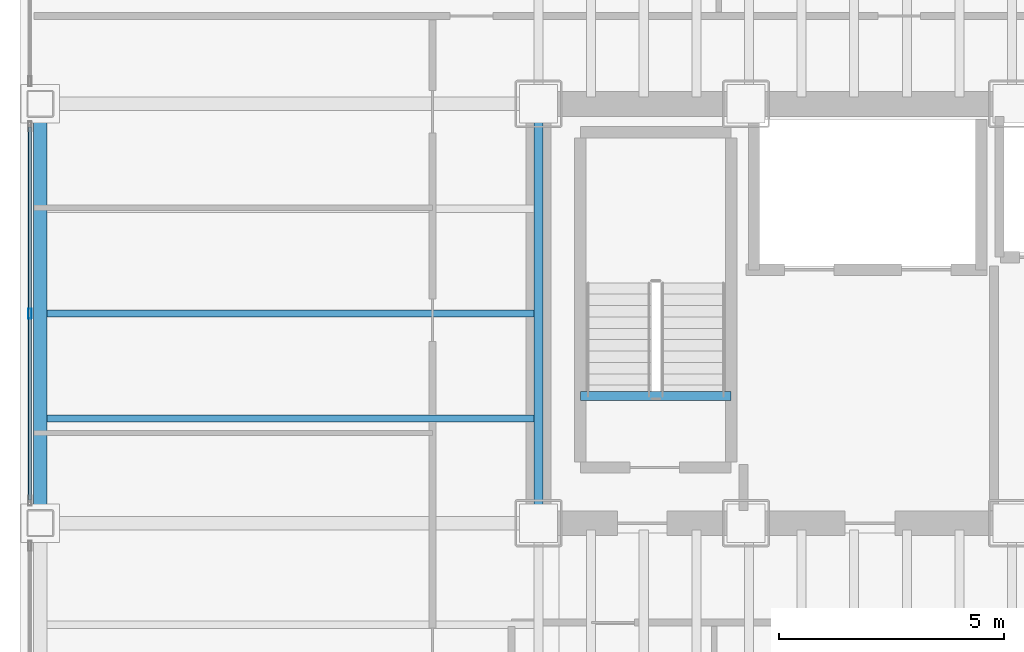
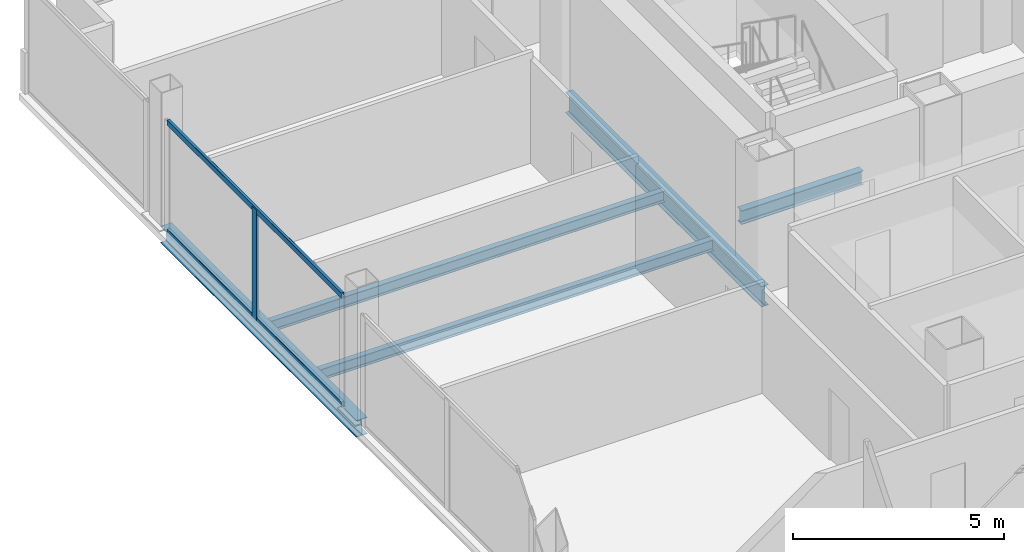
# One storey, part 6 of 30: 5 beams, 3 members, 1 element without a shape of its own.
"""IFC4 building model written with IfcOpenShell, lengths in metres."""

from ifc_helpers import new_model, si_unit, direction, frame, origin, origin_2d, place, context, subcontext, project, spatial, hollow_rectangle, i_section, extrude, material, material_profile, profile_set, type_object, element, aggregate, save


model = new_model("IFC4")

# Units and contexts
model_context = context("Model", 3, precision=1e-05, world=origin(), true_north=direction((0.0, 1.0)))
body_context = subcontext(model_context, "Body", "Model", "MODEL_VIEW")
ifc_project = project(units=[si_unit("LENGTHUNIT", "METRE"), si_unit("AREAUNIT", "SQUARE_METRE"), si_unit("VOLUMEUNIT", "CUBIC_METRE"), si_unit("PLANEANGLEUNIT", "RADIAN"), si_unit("MASSUNIT", "GRAM", prefix="KILO")], contexts=[model_context])

# Site, building, storey
site_placement = place(None, origin())
site = spatial("IfcSite", under=ifc_project, at=site_placement, CompositionType="ELEMENT")
building_placement = place(site_placement, origin())
building = spatial("IfcBuilding", under=site, at=building_placement, Name="Noeulbin Bourse Tower", CompositionType="ELEMENT")
storey_placement = place(building_placement, frame((0.0, 0.0, 26.5)))
storey = spatial("IfcBuildingStorey", under=building, at=storey_placement, Name="L06", CompositionType="ELEMENT", Elevation=26.5)

# Beams
ifc_material_1 = material(Name="Steel S355", Category="steel")
ifc_material_profile_1 = material_profile(ifc_material_1, i_section(OverallWidth=0.199951171875, OverallDepth=0.60009765625, WebThickness=0.010986328125, FlangeThickness=0.01708984375, FilletRadius=0.02197265625, at=origin_2d()), Name="H-600x200x11x17", Category="LoadBearing")
ifc_profile_set_1 = profile_set([ifc_material_profile_1], Name="Steel S355")
beam_type_1 = type_object("IfcBeamType", Name="BM-GRD-600", PredefinedType="USERDEFINED", material=ifc_profile_set_1)
beam_1_placement = place(storey_placement, frame((13.5, 29.0, -0.47998046875), z_axis=(0.0, 1.0, 0.0), x_axis=(-1.0, 0.0, 0.0)))
element("IfcBeam", 1, at=beam_1_placement, inside=storey, type_object=beam_type_1, Name="Tower Primary Girder NS L06-1.3", ObjectType="GIRDER", PredefinedType="USERDEFINED", context=body_context, shape_type="SweptSolid", body=[
    extrude(i_section(OverallWidth=0.199951171875, OverallDepth=0.60009765625, WebThickness=0.010986328125, FlangeThickness=0.01708984375, FilletRadius=0.02197265625, at=origin_2d()), origin(), (0.0, 0.0, 1.0), 9.300048828125),
])
ifc_material_profile_2 = material_profile(ifc_material_1, i_section(OverallWidth=0.159912109375, OverallDepth=0.320068359375, WebThickness=0.006591796875, FlangeThickness=0.010009765625, FilletRadius=0.012939453125, at=origin_2d()), Name="H-320x160x6.5x10", Category="LoadBearing")
ifc_profile_set_2 = profile_set([ifc_material_profile_2], Name="Steel S355")
beam_type_2 = type_object("IfcBeamType", Name="BM-JST-320", PredefinedType="JOIST", material=ifc_profile_set_2)
for number, where, z_axis, x_axis, name in (
    (2, (2.60009765625, 31.324951171875, -0.340087890625), (1.0, 0.0, 0.0), (0.0, 1.0, 0.0), "Wing Composite Joist L06-W72"),
    (3, (2.60009765625, 33.64990234375, -0.340087890625), (1.0, 0.0, 0.0), (0.0, 1.0, 0.0), "Wing Composite Joist L06-W73"),
):
    element("IfcBeam", number, at=place(storey_placement, frame(where, z_axis=z_axis, x_axis=x_axis)), inside=storey, type_object=beam_type_2, Name=name, PredefinedType="JOIST", context=body_context, shape_type="SweptSolid", body=[
        extrude(i_section(OverallWidth=0.159912109375, OverallDepth=0.320068359375, WebThickness=0.006591796875, FlangeThickness=0.010009765625, FilletRadius=0.012939453125, at=origin_2d()), origin(), (0.0, 0.0, 1.0), 10.7998046875),
    ])
ifc_material_profile_3 = material_profile(ifc_material_1, i_section(OverallWidth=0.199951171875, OverallDepth=0.39990234375, WebThickness=0.008056640625, FlangeThickness=0.012939453125, FilletRadius=0.01611328125, at=origin_2d()), Name="H-400x200x8x13", Category="LoadBearing")
ifc_profile_set_3 = profile_set([ifc_material_profile_3], Name="Steel S355")
beam_type_3 = type_object("IfcBeamType", Name="BM-SEC-400", PredefinedType="BEAM", material=ifc_profile_set_3)
beam_2_placement = place(storey_placement, frame((14.429931640625, 31.820068359375, -0.199951171875), z_axis=(1.0, 0.0, 0.0), x_axis=(0.0, 1.0, 0.0)))
element("IfcBeam", 4, at=beam_2_placement, inside=storey, type_object=beam_type_3, Name="Stair Threshold Trimmer Beam ST1-L06", PredefinedType="BEAM", context=body_context, shape_type="SweptSolid", body=[
    extrude(i_section(OverallWidth=0.199951171875, OverallDepth=0.39990234375, WebThickness=0.008056640625, FlangeThickness=0.012939453125, FilletRadius=0.01611328125, at=origin_2d()), origin(), (0.0, 0.0, 1.0), 3.340087890625),
])
ifc_material_profile_4 = material_profile(ifc_material_1, i_section(OverallWidth=0.300048828125, OverallDepth=0.488037109375, WebThickness=0.010986328125, FlangeThickness=0.01806640625, FilletRadius=0.02197265625, at=origin_2d()), Name="H-488x300x11x18", Category="LoadBearing")
ifc_profile_set_4 = profile_set([ifc_material_profile_4], Name="Steel S355")
beam_type_4 = type_object("IfcBeamType", Name="BM-SPN-488", PredefinedType="SPANDREL", material=ifc_profile_set_4)
beam_3_placement = place(storey_placement, frame((2.449951171875, 29.0, -0.424072265625), z_axis=(0.0, 1.0, 0.0), x_axis=(-1.0, 0.0, 0.0)))
element("IfcBeam", 5, at=beam_3_placement, inside=storey, type_object=beam_type_4, Name="West Spandrel L06-2", PredefinedType="SPANDREL", context=body_context, shape_type="SweptSolid", body=[
    extrude(i_section(OverallWidth=0.300048828125, OverallDepth=0.488037109375, WebThickness=0.010986328125, FlangeThickness=0.01806640625, FilletRadius=0.02197265625, at=origin_2d()), origin(), (0.0, 0.0, 1.0), 9.300048828125),
])

# Curtain wall, members
ifc_material_2 = material(Name="Dark Solar-Control Double Glazing", Category="glass")
curtain_wall_type = type_object("IfcCurtainWallType", Name="CW-SYS-2", PredefinedType="NOTDEFINED", material=ifc_material_2)
curtain_wall_placement = place(storey_placement, origin())
curtain_wall = element("IfcCurtainWall", 6, at=curtain_wall_placement, inside=storey, type_object=curtain_wall_type, Name="Unitised Curtain Wall CW-L06-W-S3", PredefinedType="NOTDEFINED")
ifc_material_3 = material(Name="Anodised Aluminium 6063-T6", Category="aluminium")
ifc_material_profile_5 = material_profile(ifc_material_3, hollow_rectangle(XDim=0.074951171875, YDim=0.219970703125, WallThickness=0.0048828125, InnerFilletRadius=0.00244140625, OuterFilletRadius=0.0048828125, at=origin_2d()), Name="ALU-MULL-75x220x5", Category="LoadBearing")
ifc_profile_set_5 = profile_set([ifc_material_profile_5], Name="Anodised Aluminium 6063-T6")
member_type_1 = type_object("IfcMemberType", Name="CW-SYS-2-MUL", PredefinedType="MULLION", material=ifc_profile_set_5)
member_1_placement = place(storey_placement, frame((2.219970703125, 33.64990234375, -0.02001953125), z_axis=(0.0, 0.0, 1.0), x_axis=(1.0, 0.0, 0.0)))
member_1 = element("IfcMember", 7, at=member_1_placement, type_object=member_type_1, Name="Curtain Wall Mullion CW-L06-W-S3-M01", PredefinedType="MULLION", context=body_context, shape_type="SweptSolid", body=[
    extrude(hollow_rectangle(XDim=0.074951171875, YDim=0.219970703125, WallThickness=0.0048828125, InnerFilletRadius=0.00244140625, OuterFilletRadius=0.0048828125, at=origin_2d()), origin(), (0.0, 0.0, 1.0), 3.219970703125),
])
ifc_material_profile_6 = material_profile(ifc_material_3, hollow_rectangle(XDim=0.074951171875, YDim=0.159912109375, WallThickness=0.0048828125, InnerFilletRadius=0.00244140625, OuterFilletRadius=0.0048828125, at=origin_2d()), Name="ALU-TRAN-75x160x5", Category="LoadBearing")
ifc_profile_set_6 = profile_set([ifc_material_profile_6], Name="Anodised Aluminium 6063-T6")
member_type_2 = type_object("IfcMemberType", Name="CW-SYS-2-TRN", PredefinedType="USERDEFINED", material=ifc_profile_set_6)
member_2_placement = place(storey_placement, frame((2.219970703125, 29.510009765625, 0.010009765625), z_axis=(0.0, 1.0, 0.0), x_axis=(-1.0, 0.0, 0.0)))
member_2 = element("IfcMember", 8, at=member_2_placement, type_object=member_type_2, Name="Curtain Wall Transom CW-L06-W-S3-T00", ObjectType="TRANSOM", PredefinedType="USERDEFINED", context=body_context, shape_type="SweptSolid", body=[
    extrude(hollow_rectangle(XDim=0.074951171875, YDim=0.159912109375, WallThickness=0.0048828125, InnerFilletRadius=0.00244140625, OuterFilletRadius=0.0048828125, at=origin_2d()), origin(), (0.0, 0.0, 1.0), 8.280029296875),
])
member_3_placement = place(storey_placement, frame((2.219970703125, 29.510009765625, 3.169921875), z_axis=(0.0, 1.0, 0.0), x_axis=(-1.0, 0.0, 0.0)))
member_3 = element("IfcMember", 9, at=member_3_placement, type_object=member_type_2, Name="Curtain Wall Transom CW-L06-W-S3-T01", ObjectType="TRANSOM", PredefinedType="USERDEFINED", context=body_context, shape_type="SweptSolid", body=[
    extrude(hollow_rectangle(XDim=0.074951171875, YDim=0.159912109375, WallThickness=0.0048828125, InnerFilletRadius=0.00244140625, OuterFilletRadius=0.0048828125, at=origin_2d()), origin(), (0.0, 0.0, 1.0), 8.280029296875),
])
aggregate(curtain_wall, [member_1, member_2, member_3])

save(model, "model.ifc")
